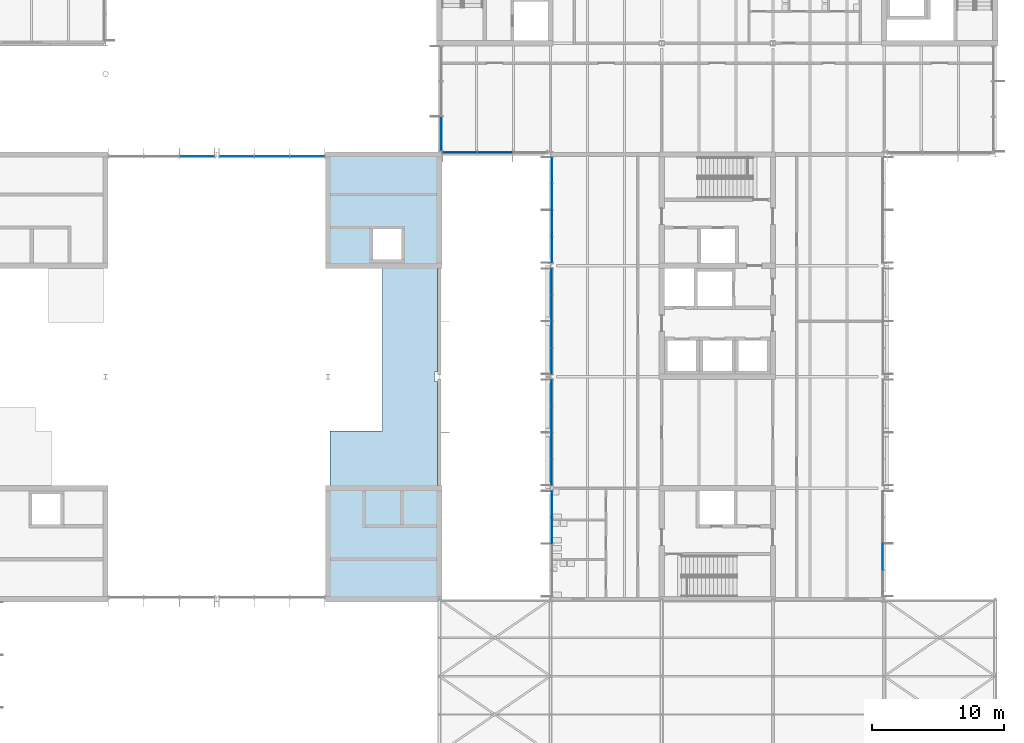
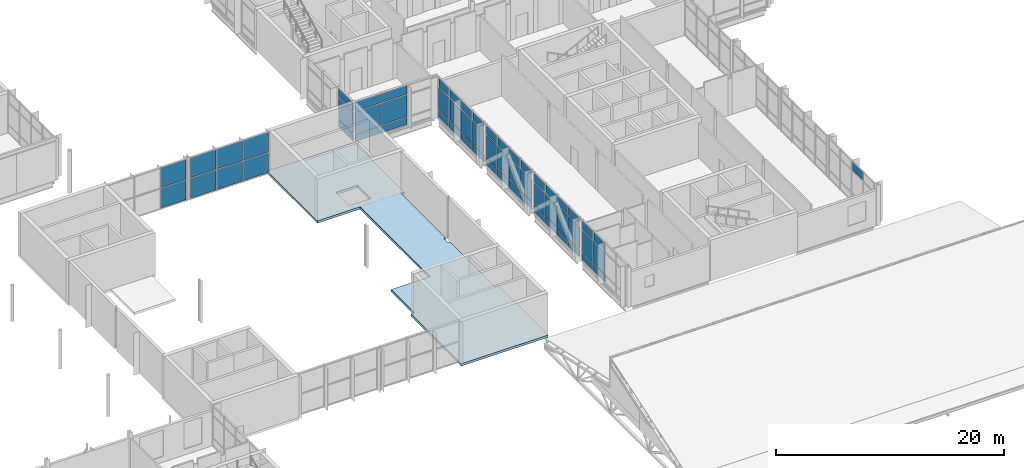
# One storey, part 42 of 89: 60 plates, 1 slab, 9 elements without a shape of their own.
"""IFC4 building model written with IfcOpenShell, lengths in metres."""

from ifc_helpers import new_model, si_unit, direction, frame, origin, origin_2d, place, context, subcontext, project, spatial, polyline, rectangle, outline, extrude, material, layer, layer_set, type_object, element, aggregate, save


model = new_model("IFC4")

# Units and contexts
model_context = context("Model", 3, precision=1e-05, world=origin(), true_north=direction((0.0, 1.0)))
body_context = subcontext(model_context, "Body", "Model", "MODEL_VIEW")
ifc_project = project(units=[si_unit("LENGTHUNIT", "METRE"), si_unit("AREAUNIT", "SQUARE_METRE"), si_unit("VOLUMEUNIT", "CUBIC_METRE"), si_unit("PLANEANGLEUNIT", "RADIAN"), si_unit("MASSUNIT", "GRAM", prefix="KILO")], contexts=[model_context])

# Site, building, storey
site_placement = place(None, origin())
site = spatial("IfcSite", under=ifc_project, at=site_placement, CompositionType="ELEMENT")
building_placement = place(site_placement, origin())
building = spatial("IfcBuilding", under=site, at=building_placement, Name="Hlaing Beacon Police Headquarters", CompositionType="ELEMENT")
storey_placement = place(building_placement, frame((0.0, 0.0, 9.89990234375)))
storey = spatial("IfcBuildingStorey", under=building, at=storey_placement, Name="L02", CompositionType="ELEMENT", Elevation=9.89990234375)

# Curtain wall, plates
ifc_material_1 = material(Name="Aluminium frame with solar control glazing", Category="aluminium")
curtain_wall_type_1 = type_object("IfcCurtainWallType", Name="Unitised curtain wall 8.02 x 4.37", PredefinedType="NOTDEFINED", material=ifc_material_1)
curtain_wall_1_placement = place(storey_placement, origin())
curtain_wall_1 = element("IfcCurtainWall", 1, at=curtain_wall_1_placement, inside=storey, type_object=curtain_wall_type_1, Name="ENV-CW-L02-W030", PredefinedType="NOTDEFINED")
ifc_material_2 = material(Name="Solar control glazing", Category="glass")
ifc_layer_1 = layer(ifc_material_2, 0.0439453125)
ifc_layer_set_1 = layer_set([ifc_layer_1], Name="Solar control glazing")
plate_type_1 = type_object("IfcPlateType", Name="Clear glazing panel 44", PredefinedType="CURTAIN_PANEL", material=ifc_layer_set_1)
plate_1_placement = place(storey_placement, frame((100.89990234375, 64.0048828125, 0.9501953125), z_axis=(0.0, 0.0, 1.0), x_axis=(0.0, -1.0, 0.0)))
plate_1 = element("IfcPlate", 2, at=plate_1_placement, type_object=plate_type_1, Name="CW-L02-W030 panel 2.2", PredefinedType="CURTAIN_PANEL", context=body_context, shape_type="SweptSolid", body=[
    extrude(rectangle(XDim=1.94482421875, YDim=0.0439453125, at=origin_2d()), origin(), (0.0, 0.0, 1.0), 2.300048828125),
])
plate_2_placement = place(storey_placement, frame((100.89990234375, 60.01025390625, 0.9501953125), z_axis=(0.0, 0.0, 1.0), x_axis=(0.0, -1.0, 0.0)))
plate_2 = element("IfcPlate", 3, at=plate_2_placement, type_object=plate_type_1, Name="CW-L02-W030 panel 4.2", PredefinedType="CURTAIN_PANEL", context=body_context, shape_type="SweptSolid", body=[
    extrude(rectangle(XDim=1.914794921875, YDim=0.0439453125, at=origin_2d()), origin(), (0.0, 0.0, 1.0), 2.300048828125),
])

ifc_material_3 = material(Name="Aluminium frame with solar control glazing", Category="aluminium")
curtain_wall_type_2 = type_object("IfcCurtainWallType", Name="Unitised curtain wall 8.01 x 4.37", PredefinedType="NOTDEFINED", material=ifc_material_3)
curtain_wall_2_placement = place(storey_placement, origin())
curtain_wall_2 = element("IfcCurtainWall", 4, at=curtain_wall_2_placement, inside=storey, type_object=curtain_wall_type_2, Name="ENV-CW-L02-W031", PredefinedType="NOTDEFINED")
plate_3_placement = place(storey_placement, frame((100.889892578125, 55.601806640625, 0.9501953125), z_axis=(0.0, 0.0, 1.0), x_axis=(0.0, -1.0, 0.0)))
plate_3 = element("IfcPlate", 5, at=plate_3_placement, type_object=plate_type_1, Name="CW-L02-W031 panel 2.2", PredefinedType="CURTAIN_PANEL", context=body_context, shape_type="SweptSolid", body=[
    extrude(rectangle(XDim=1.943603515625, YDim=0.0439453125, at=origin_2d()), origin(), (0.0, 0.0, 1.0), 2.300048828125),
])
plate_4_placement = place(storey_placement, frame((100.889892578125, 51.60986328125, 0.9501953125), z_axis=(0.0, 0.0, 1.0), x_axis=(0.0, -1.0, 0.0)))
plate_4 = element("IfcPlate", 6, at=plate_4_placement, type_object=plate_type_1, Name="CW-L02-W031 panel 4.2", PredefinedType="CURTAIN_PANEL", context=body_context, shape_type="SweptSolid", body=[
    extrude(rectangle(XDim=1.91357421875, YDim=0.0439453125, at=origin_2d()), origin(), (0.0, 0.0, 1.0), 2.300048828125),
])

curtain_wall_3_placement = place(storey_placement, origin())
curtain_wall_3 = element("IfcCurtainWall", 7, at=curtain_wall_3_placement, inside=storey, type_object=curtain_wall_type_2, Name="ENV-CW-L02-W032", PredefinedType="NOTDEFINED")
plate_5_placement = place(storey_placement, frame((100.889892578125, 47.20166015625, 0.9501953125), z_axis=(0.0, 0.0, 1.0), x_axis=(0.0, -1.0, 0.0)))
plate_5 = element("IfcPlate", 8, at=plate_5_placement, type_object=plate_type_1, Name="CW-L02-W032 panel 2.2", PredefinedType="CURTAIN_PANEL", context=body_context, shape_type="SweptSolid", body=[
    extrude(rectangle(XDim=1.943603515625, YDim=0.0439453125, at=origin_2d()), origin(), (0.0, 0.0, 1.0), 2.300048828125),
])
plate_6_placement = place(storey_placement, frame((100.889892578125, 43.209716796875, 0.9501953125), z_axis=(0.0, 0.0, 1.0), x_axis=(0.0, -1.0, 0.0)))
plate_6 = element("IfcPlate", 9, at=plate_6_placement, type_object=plate_type_1, Name="CW-L02-W032 panel 4.2", PredefinedType="CURTAIN_PANEL", context=body_context, shape_type="SweptSolid", body=[
    extrude(rectangle(XDim=1.91357421875, YDim=0.0439453125, at=origin_2d()), origin(), (0.0, 0.0, 1.0), 2.300048828125),
])

# Curtain wall, plate
curtain_wall_4_placement = place(storey_placement, origin())
curtain_wall_4 = element("IfcCurtainWall", 10, at=curtain_wall_4_placement, inside=storey, type_object=curtain_wall_type_1, Name="ENV-CW-L02-W033", PredefinedType="NOTDEFINED")
plate_7_placement = place(storey_placement, frame((100.89990234375, 38.7998046875, 0.9501953125), z_axis=(0.0, 0.0, 1.0), x_axis=(0.0, -1.0, 0.0)))
plate_7 = element("IfcPlate", 11, at=plate_7_placement, type_object=plate_type_1, Name="CW-L02-W033 panel 2.2", PredefinedType="CURTAIN_PANEL", context=body_context, shape_type="SweptSolid", body=[
    extrude(rectangle(XDim=1.94482421875, YDim=0.0439453125, at=origin_2d()), origin(), (0.0, 0.0, 1.0), 2.300048828125),
])

# Slab
ifc_material_4 = material(Name="Concrete C40/50", Category="concrete")
ifc_layer_2 = layer(ifc_material_4, 0.25)
ifc_layer_set_2 = layer_set([ifc_layer_2], Name="Concrete C40/50")
slab_type = type_object("IfcSlabType", Name="Enclosure roof slab 250", PredefinedType="ROOF", material=ifc_layer_set_2)
slab_placement = place(storey_placement, frame((0.0, 0.0, -0.25)))
element("IfcSlab", 12, at=slab_placement, inside=storey, type_object=slab_type, Name="STR-SLAB-L02-V1-CAP02", PredefinedType="ROOF", context=body_context, shape_type="SweptSolid", body=[
    extrude(outline(polyline([(83.800048828125, 33.39990234375), (92.60009765625, 33.39990234375), (92.60009765625, 42.199951171875), (92.25, 42.199951171875), (92.25, 50.050048828125), (92.050048828125, 50.050048828125), (92.050048828125, 50.75), (92.25, 50.75), (92.25, 58.60009765625), (92.60009765625, 58.60009765625), (92.60009765625, 67.39990234375), (83.800048828125, 67.39990234375), (83.800048828125, 58.60009765625), (88.10009765625, 58.60009765625), (88.10009765625, 46.300048828125), (84.14990234375, 46.300048828125), (84.14990234375, 42.199951171875), (83.800048828125, 42.199951171875), (83.800048828125, 33.39990234375)]), holes=[polyline([(87.39990234375, 59.25), (89.550048828125, 59.25), (89.550048828125, 61.550048828125), (87.39990234375, 61.550048828125), (87.39990234375, 59.25)])]), origin(), (0.0, 0.0, 1.0), 0.25),
])

# Plate
ifc_material_5 = material(Name="Fritted solar control glazing", Category="glass")
ifc_layer_3 = layer(ifc_material_5, 0.0439453125)
ifc_layer_set_3 = layer_set([ifc_layer_3], Name="Fritted solar control glazing")
plate_type_2 = type_object("IfcPlateType", Name="Fritted glazing panel 44", PredefinedType="CURTAIN_PANEL", material=ifc_layer_set_3)
plate_8_placement = place(storey_placement, frame((100.89990234375, 65.99462890625, 0.9501953125), z_axis=(0.0, 0.0, 1.0), x_axis=(0.0, -1.0, 0.0)))
plate_8 = element("IfcPlate", 13, at=plate_8_placement, type_object=plate_type_2, Name="CW-L02-W030 panel 1.2", PredefinedType="CURTAIN_PANEL", context=body_context, shape_type="SweptSolid", body=[
    extrude(rectangle(XDim=1.914794921875, YDim=0.0439453125, at=origin_2d()), origin(), (0.0, 0.0, 1.0), 2.300048828125),
])

plate_9_placement = place(storey_placement, frame((100.89990234375, 62.000244140625, 0.9501953125), z_axis=(0.0, 0.0, 1.0), x_axis=(0.0, -1.0, 0.0)))
plate_9 = element("IfcPlate", 14, at=plate_9_placement, type_object=plate_type_2, Name="CW-L02-W030 panel 3.2", PredefinedType="CURTAIN_PANEL", context=body_context, shape_type="SweptSolid", body=[
    extrude(rectangle(XDim=1.94482421875, YDim=0.0439453125, at=origin_2d()), origin(), (0.0, 0.0, 1.0), 2.300048828125),
])

plate_10_placement = place(storey_placement, frame((100.889892578125, 57.59033203125, 0.9501953125), z_axis=(0.0, 0.0, 1.0), x_axis=(0.0, -1.0, 0.0)))
plate_10 = element("IfcPlate", 15, at=plate_10_placement, type_object=plate_type_2, Name="CW-L02-W031 panel 1.2", PredefinedType="CURTAIN_PANEL", context=body_context, shape_type="SweptSolid", body=[
    extrude(rectangle(XDim=1.91357421875, YDim=0.0439453125, at=origin_2d()), origin(), (0.0, 0.0, 1.0), 2.300048828125),
])

plate_11_placement = place(storey_placement, frame((100.889892578125, 53.59814453125, 0.9501953125), z_axis=(0.0, 0.0, 1.0), x_axis=(0.0, -1.0, 0.0)))
plate_11 = element("IfcPlate", 16, at=plate_11_placement, type_object=plate_type_2, Name="CW-L02-W031 panel 3.2", PredefinedType="CURTAIN_PANEL", context=body_context, shape_type="SweptSolid", body=[
    extrude(rectangle(XDim=1.943603515625, YDim=0.0439453125, at=origin_2d()), origin(), (0.0, 0.0, 1.0), 2.300048828125),
])

plate_12_placement = place(storey_placement, frame((100.889892578125, 49.190185546875, 0.9501953125), z_axis=(0.0, 0.0, 1.0), x_axis=(0.0, -1.0, 0.0)))
plate_12 = element("IfcPlate", 17, at=plate_12_placement, type_object=plate_type_2, Name="CW-L02-W032 panel 1.2", PredefinedType="CURTAIN_PANEL", context=body_context, shape_type="SweptSolid", body=[
    extrude(rectangle(XDim=1.91357421875, YDim=0.0439453125, at=origin_2d()), origin(), (0.0, 0.0, 1.0), 2.300048828125),
])

plate_13_placement = place(storey_placement, frame((100.889892578125, 45.1982421875, 0.9501953125), z_axis=(0.0, 0.0, 1.0), x_axis=(0.0, -1.0, 0.0)))
plate_13 = element("IfcPlate", 18, at=plate_13_placement, type_object=plate_type_2, Name="CW-L02-W032 panel 3.2", PredefinedType="CURTAIN_PANEL", context=body_context, shape_type="SweptSolid", body=[
    extrude(rectangle(XDim=1.943603515625, YDim=0.0439453125, at=origin_2d()), origin(), (0.0, 0.0, 1.0), 2.300048828125),
])

plate_14_placement = place(storey_placement, frame((100.89990234375, 40.78955078125, 0.9501953125), z_axis=(0.0, 0.0, 1.0), x_axis=(0.0, -1.0, 0.0)))
plate_14 = element("IfcPlate", 19, at=plate_14_placement, type_object=plate_type_2, Name="CW-L02-W033 panel 1.2", PredefinedType="CURTAIN_PANEL", context=body_context, shape_type="SweptSolid", body=[
    extrude(rectangle(XDim=1.914794921875, YDim=0.0439453125, at=origin_2d()), origin(), (0.0, 0.0, 1.0), 2.300048828125),
])

# Curtain wall, plate
ifc_material_6 = material(Name="Aluminium frame with solar control glazing", Category="aluminium")
curtain_wall_type_3 = type_object("IfcCurtainWallType", Name="Structural glazed gable wall 8.00 x 4.37", PredefinedType="NOTDEFINED", material=ifc_material_6)
curtain_wall_5_placement = place(storey_placement, origin())
curtain_wall_5 = element("IfcCurtainWall", 20, at=curtain_wall_5_placement, inside=storey, type_object=curtain_wall_type_3, Name="ENV-CW-L02-W028", PredefinedType="NOTDEFINED")
ifc_material_7 = material(Name="Insulated aluminium spandrel", Category="aluminium")
ifc_layer_4 = layer(ifc_material_7, 0.080078125)
ifc_layer_set_4 = layer_set([ifc_layer_4], Name="Insulated aluminium spandrel")
plate_type_3 = type_object("IfcPlateType", Name="Insulated spandrel panel 80", PredefinedType="CURTAIN_PANEL", material=ifc_layer_set_4)
plate_15_placement = place(storey_placement, frame((92.550048828125, 68.75341796875, 0.10009765625), z_axis=(0.0, 0.0, 1.0), x_axis=(0.0, -1.0, 0.0)))
plate_15 = element("IfcPlate", 21, at=plate_15_placement, type_object=plate_type_3, Name="CW-L02-W028 panel 3.1", PredefinedType="CURTAIN_PANEL", context=body_context, shape_type="SweptSolid", body=[
    extrude(rectangle(XDim=2.546630859375, YDim=0.080078125, at=origin_2d()), origin(), (0.0, 0.0, 1.0), 0.75),
])

# Curtain wall, plates
curtain_wall_6_placement = place(storey_placement, origin())
curtain_wall_6 = element("IfcCurtainWall", 22, at=curtain_wall_6_placement, inside=storey, type_object=curtain_wall_type_3, Name="ENV-CW-L02-S029", PredefinedType="NOTDEFINED")
plate_16_placement = place(storey_placement, frame((93.953857421875, 67.35009765625, 0.10009765625), z_axis=(0.0, 0.0, 1.0), x_axis=(1.0, 0.0, 0.0)))
plate_16 = element("IfcPlate", 23, at=plate_16_placement, type_object=plate_type_3, Name="CW-L02-S029 panel 1.1", PredefinedType="CURTAIN_PANEL", context=body_context, shape_type="SweptSolid", body=[
    extrude(rectangle(XDim=2.5478515625, YDim=0.080078125, at=origin_2d()), origin(), (0.0, 0.0, 1.0), 0.75),
])
plate_17_placement = place(storey_placement, frame((96.6015625, 67.35009765625, 0.10009765625), z_axis=(0.0, 0.0, 1.0), x_axis=(1.0, 0.0, 0.0)))
plate_17 = element("IfcPlate", 24, at=plate_17_placement, type_object=plate_type_3, Name="CW-L02-S029 panel 2.1", PredefinedType="CURTAIN_PANEL", context=body_context, shape_type="SweptSolid", body=[
    extrude(rectangle(XDim=2.587646484375, YDim=0.080078125, at=origin_2d()), origin(), (0.0, 0.0, 1.0), 0.75),
])

# Plate
plate_18_placement = place(storey_placement, frame((100.89990234375, 65.99462890625, 0.10009765625), z_axis=(0.0, 0.0, 1.0), x_axis=(0.0, -1.0, 0.0)))
plate_18 = element("IfcPlate", 25, at=plate_18_placement, type_object=plate_type_3, Name="CW-L02-W030 panel 1.1", PredefinedType="CURTAIN_PANEL", context=body_context, shape_type="SweptSolid", body=[
    extrude(rectangle(XDim=1.914794921875, YDim=0.080078125, at=origin_2d()), origin(), (0.0, 0.0, 1.0), 0.75),
])

plate_19_placement = place(storey_placement, frame((100.89990234375, 64.0048828125, 0.10009765625), z_axis=(0.0, 0.0, 1.0), x_axis=(0.0, -1.0, 0.0)))
plate_19 = element("IfcPlate", 26, at=plate_19_placement, type_object=plate_type_3, Name="CW-L02-W030 panel 2.1", PredefinedType="CURTAIN_PANEL", context=body_context, shape_type="SweptSolid", body=[
    extrude(rectangle(XDim=1.94482421875, YDim=0.080078125, at=origin_2d()), origin(), (0.0, 0.0, 1.0), 0.75),
])

plate_20_placement = place(storey_placement, frame((100.89990234375, 62.000244140625, 0.10009765625), z_axis=(0.0, 0.0, 1.0), x_axis=(0.0, -1.0, 0.0)))
plate_20 = element("IfcPlate", 27, at=plate_20_placement, type_object=plate_type_3, Name="CW-L02-W030 panel 3.1", PredefinedType="CURTAIN_PANEL", context=body_context, shape_type="SweptSolid", body=[
    extrude(rectangle(XDim=1.94482421875, YDim=0.080078125, at=origin_2d()), origin(), (0.0, 0.0, 1.0), 0.75),
])

plate_21_placement = place(storey_placement, frame((100.89990234375, 60.01025390625, 0.10009765625), z_axis=(0.0, 0.0, 1.0), x_axis=(0.0, -1.0, 0.0)))
plate_21 = element("IfcPlate", 28, at=plate_21_placement, type_object=plate_type_3, Name="CW-L02-W030 panel 4.1", PredefinedType="CURTAIN_PANEL", context=body_context, shape_type="SweptSolid", body=[
    extrude(rectangle(XDim=1.914794921875, YDim=0.080078125, at=origin_2d()), origin(), (0.0, 0.0, 1.0), 0.75),
])

plate_22_placement = place(storey_placement, frame((100.889892578125, 57.59033203125, 0.10009765625), z_axis=(0.0, 0.0, 1.0), x_axis=(0.0, -1.0, 0.0)))
plate_22 = element("IfcPlate", 29, at=plate_22_placement, type_object=plate_type_3, Name="CW-L02-W031 panel 1.1", PredefinedType="CURTAIN_PANEL", context=body_context, shape_type="SweptSolid", body=[
    extrude(rectangle(XDim=1.91357421875, YDim=0.080078125, at=origin_2d()), origin(), (0.0, 0.0, 1.0), 0.75),
])

plate_23_placement = place(storey_placement, frame((100.889892578125, 55.601806640625, 0.10009765625), z_axis=(0.0, 0.0, 1.0), x_axis=(0.0, -1.0, 0.0)))
plate_23 = element("IfcPlate", 30, at=plate_23_placement, type_object=plate_type_3, Name="CW-L02-W031 panel 2.1", PredefinedType="CURTAIN_PANEL", context=body_context, shape_type="SweptSolid", body=[
    extrude(rectangle(XDim=1.943603515625, YDim=0.080078125, at=origin_2d()), origin(), (0.0, 0.0, 1.0), 0.75),
])

plate_24_placement = place(storey_placement, frame((100.889892578125, 53.59814453125, 0.10009765625), z_axis=(0.0, 0.0, 1.0), x_axis=(0.0, -1.0, 0.0)))
plate_24 = element("IfcPlate", 31, at=plate_24_placement, type_object=plate_type_3, Name="CW-L02-W031 panel 3.1", PredefinedType="CURTAIN_PANEL", context=body_context, shape_type="SweptSolid", body=[
    extrude(rectangle(XDim=1.943603515625, YDim=0.080078125, at=origin_2d()), origin(), (0.0, 0.0, 1.0), 0.75),
])

plate_25_placement = place(storey_placement, frame((100.889892578125, 51.60986328125, 0.10009765625), z_axis=(0.0, 0.0, 1.0), x_axis=(0.0, -1.0, 0.0)))
plate_25 = element("IfcPlate", 32, at=plate_25_placement, type_object=plate_type_3, Name="CW-L02-W031 panel 4.1", PredefinedType="CURTAIN_PANEL", context=body_context, shape_type="SweptSolid", body=[
    extrude(rectangle(XDim=1.91357421875, YDim=0.080078125, at=origin_2d()), origin(), (0.0, 0.0, 1.0), 0.75),
])

plate_26_placement = place(storey_placement, frame((100.889892578125, 49.190185546875, 0.10009765625), z_axis=(0.0, 0.0, 1.0), x_axis=(0.0, -1.0, 0.0)))
plate_26 = element("IfcPlate", 33, at=plate_26_placement, type_object=plate_type_3, Name="CW-L02-W032 panel 1.1", PredefinedType="CURTAIN_PANEL", context=body_context, shape_type="SweptSolid", body=[
    extrude(rectangle(XDim=1.91357421875, YDim=0.080078125, at=origin_2d()), origin(), (0.0, 0.0, 1.0), 0.75),
])

plate_27_placement = place(storey_placement, frame((100.889892578125, 47.20166015625, 0.10009765625), z_axis=(0.0, 0.0, 1.0), x_axis=(0.0, -1.0, 0.0)))
plate_27 = element("IfcPlate", 34, at=plate_27_placement, type_object=plate_type_3, Name="CW-L02-W032 panel 2.1", PredefinedType="CURTAIN_PANEL", context=body_context, shape_type="SweptSolid", body=[
    extrude(rectangle(XDim=1.943603515625, YDim=0.080078125, at=origin_2d()), origin(), (0.0, 0.0, 1.0), 0.75),
])

plate_28_placement = place(storey_placement, frame((100.889892578125, 45.1982421875, 0.10009765625), z_axis=(0.0, 0.0, 1.0), x_axis=(0.0, -1.0, 0.0)))
plate_28 = element("IfcPlate", 35, at=plate_28_placement, type_object=plate_type_3, Name="CW-L02-W032 panel 3.1", PredefinedType="CURTAIN_PANEL", context=body_context, shape_type="SweptSolid", body=[
    extrude(rectangle(XDim=1.943603515625, YDim=0.080078125, at=origin_2d()), origin(), (0.0, 0.0, 1.0), 0.75),
])

plate_29_placement = place(storey_placement, frame((100.889892578125, 43.209716796875, 0.10009765625), z_axis=(0.0, 0.0, 1.0), x_axis=(0.0, -1.0, 0.0)))
plate_29 = element("IfcPlate", 36, at=plate_29_placement, type_object=plate_type_3, Name="CW-L02-W032 panel 4.1", PredefinedType="CURTAIN_PANEL", context=body_context, shape_type="SweptSolid", body=[
    extrude(rectangle(XDim=1.91357421875, YDim=0.080078125, at=origin_2d()), origin(), (0.0, 0.0, 1.0), 0.75),
])

plate_30_placement = place(storey_placement, frame((100.89990234375, 40.78955078125, 0.10009765625), z_axis=(0.0, 0.0, 1.0), x_axis=(0.0, -1.0, 0.0)))
plate_30 = element("IfcPlate", 37, at=plate_30_placement, type_object=plate_type_3, Name="CW-L02-W033 panel 1.1", PredefinedType="CURTAIN_PANEL", context=body_context, shape_type="SweptSolid", body=[
    extrude(rectangle(XDim=1.914794921875, YDim=0.080078125, at=origin_2d()), origin(), (0.0, 0.0, 1.0), 0.75),
])

plate_31_placement = place(storey_placement, frame((100.89990234375, 38.7998046875, 0.10009765625), z_axis=(0.0, 0.0, 1.0), x_axis=(0.0, -1.0, 0.0)))
plate_31 = element("IfcPlate", 38, at=plate_31_placement, type_object=plate_type_3, Name="CW-L02-W033 panel 2.1", PredefinedType="CURTAIN_PANEL", context=body_context, shape_type="SweptSolid", body=[
    extrude(rectangle(XDim=1.94482421875, YDim=0.080078125, at=origin_2d()), origin(), (0.0, 0.0, 1.0), 0.75),
])

ifc_material_8 = material(Name="Laminated solar control glazing", Category="glass")
ifc_layer_5 = layer(ifc_material_8, 0.031982421875)
ifc_layer_set_5 = layer_set([ifc_layer_5], Name="Laminated solar control glazing")
plate_type_4 = type_object("IfcPlateType", Name="Laminated glazing panel 32", PredefinedType="CURTAIN_PANEL", material=ifc_layer_set_5)
plate_32_placement = place(storey_placement, frame((92.550048828125, 68.75341796875, 3.35009765625), z_axis=(0.0, 0.0, 1.0), x_axis=(0.0, -1.0, 0.0)))
plate_32 = element("IfcPlate", 39, at=plate_32_placement, type_object=plate_type_4, Name="CW-L02-W028 panel 3.3", PredefinedType="CURTAIN_PANEL", context=body_context, shape_type="SweptSolid", body=[
    extrude(rectangle(XDim=2.546630859375, YDim=0.031982421875, at=origin_2d()), origin(), (0.0, 0.0, 1.0), 0.919921875),
])

plate_33_placement = place(storey_placement, frame((93.953857421875, 67.35009765625, 3.35009765625), z_axis=(0.0, 0.0, 1.0), x_axis=(1.0, 0.0, 0.0)))
plate_33 = element("IfcPlate", 40, at=plate_33_placement, type_object=plate_type_4, Name="CW-L02-S029 panel 1.3", PredefinedType="CURTAIN_PANEL", context=body_context, shape_type="SweptSolid", body=[
    extrude(rectangle(XDim=2.5478515625, YDim=0.031982421875, at=origin_2d()), origin(), (0.0, 0.0, 1.0), 0.919921875),
])

plate_34_placement = place(storey_placement, frame((96.6015625, 67.35009765625, 3.35009765625), z_axis=(0.0, 0.0, 1.0), x_axis=(1.0, 0.0, 0.0)))
plate_34 = element("IfcPlate", 41, at=plate_34_placement, type_object=plate_type_4, Name="CW-L02-S029 panel 2.3", PredefinedType="CURTAIN_PANEL", context=body_context, shape_type="SweptSolid", body=[
    extrude(rectangle(XDim=2.587646484375, YDim=0.031982421875, at=origin_2d()), origin(), (0.0, 0.0, 1.0), 0.919921875),
])

# Curtain wall, plates
ifc_material_9 = material(Name="Aluminium frame with solar control glazing", Category="aluminium")
curtain_wall_type_4 = type_object("IfcCurtainWallType", Name="Structural glazed gable wall 8.07 x 4.50", PredefinedType="NOTDEFINED", material=ifc_material_9)
curtain_wall_7_placement = place(storey_placement, origin())
curtain_wall_7 = element("IfcCurtainWall", 42, at=curtain_wall_7_placement, inside=storey, type_object=curtain_wall_type_4, Name="ENV-CW-L02-N003", PredefinedType="NOTDEFINED")
ifc_material_10 = material(Name="Laminated solar control glazing", Category="glass")
ifc_layer_6 = layer(ifc_material_10, 0.0439453125)
ifc_layer_set_6 = layer_set([ifc_layer_6], Name="Laminated solar control glazing")
plate_type_5 = type_object("IfcPlateType", Name="Laminated glazing panel 44", PredefinedType="CURTAIN_PANEL", material=ifc_layer_set_6)
plate_35_placement = place(storey_placement, frame((82.434814453125, 67.050048828125, 0.10009765625), z_axis=(0.0, 0.0, 1.0), x_axis=(-1.0, 0.0, 0.0)))
plate_35 = element("IfcPlate", 43, at=plate_35_placement, type_object=plate_type_5, Name="CW-L02-N003 panel 1.1", PredefinedType="CURTAIN_PANEL", context=body_context, shape_type="SweptSolid", body=[
    extrude(rectangle(XDim=2.570556640625, YDim=0.0439453125, at=origin_2d()), origin(), (0.0, 0.0, 1.0), 2.10009765625),
])
plate_36_placement = place(storey_placement, frame((82.434814453125, 67.050048828125, 2.300048828125), z_axis=(0.0, 0.0, 1.0), x_axis=(-1.0, 0.0, 0.0)))
plate_36 = element("IfcPlate", 44, at=plate_36_placement, type_object=plate_type_5, Name="CW-L02-N003 panel 1.2", PredefinedType="CURTAIN_PANEL", context=body_context, shape_type="SweptSolid", body=[
    extrude(rectangle(XDim=2.570556640625, YDim=0.0439453125, at=origin_2d()), origin(), (0.0, 0.0, 1.0), 2.10009765625),
])
plate_37_placement = place(storey_placement, frame((79.76416015625, 67.050048828125, 0.10009765625), z_axis=(0.0, 0.0, 1.0), x_axis=(-1.0, 0.0, 0.0)))
plate_37 = element("IfcPlate", 45, at=plate_37_placement, type_object=plate_type_5, Name="CW-L02-N003 panel 2.1", PredefinedType="CURTAIN_PANEL", context=body_context, shape_type="SweptSolid", body=[
    extrude(rectangle(XDim=2.610595703125, YDim=0.0439453125, at=origin_2d()), origin(), (0.0, 0.0, 1.0), 2.10009765625),
])
plate_38_placement = place(storey_placement, frame((79.76416015625, 67.050048828125, 2.300048828125), z_axis=(0.0, 0.0, 1.0), x_axis=(-1.0, 0.0, 0.0)))
plate_38 = element("IfcPlate", 46, at=plate_38_placement, type_object=plate_type_5, Name="CW-L02-N003 panel 2.2", PredefinedType="CURTAIN_PANEL", context=body_context, shape_type="SweptSolid", body=[
    extrude(rectangle(XDim=2.610595703125, YDim=0.0439453125, at=origin_2d()), origin(), (0.0, 0.0, 1.0), 2.10009765625),
])
plate_39_placement = place(storey_placement, frame((77.093505859375, 67.050048828125, 0.10009765625), z_axis=(0.0, 0.0, 1.0), x_axis=(-1.0, 0.0, 0.0)))
plate_39 = element("IfcPlate", 47, at=plate_39_placement, type_object=plate_type_5, Name="CW-L02-N003 panel 3.1", PredefinedType="CURTAIN_PANEL", context=body_context, shape_type="SweptSolid", body=[
    extrude(rectangle(XDim=2.570556640625, YDim=0.0439453125, at=origin_2d()), origin(), (0.0, 0.0, 1.0), 2.10009765625),
])
plate_40_placement = place(storey_placement, frame((77.093505859375, 67.050048828125, 2.300048828125), z_axis=(0.0, 0.0, 1.0), x_axis=(-1.0, 0.0, 0.0)))
plate_40 = element("IfcPlate", 48, at=plate_40_placement, type_object=plate_type_5, Name="CW-L02-N003 panel 3.2", PredefinedType="CURTAIN_PANEL", context=body_context, shape_type="SweptSolid", body=[
    extrude(rectangle(XDim=2.570556640625, YDim=0.0439453125, at=origin_2d()), origin(), (0.0, 0.0, 1.0), 2.10009765625),
])
aggregate(curtain_wall_7, [plate_35, plate_36, plate_37, plate_38, plate_39, plate_40])

curtain_wall_8_placement = place(storey_placement, origin())
curtain_wall_8 = element("IfcCurtainWall", 49, at=curtain_wall_8_placement, inside=storey, type_object=curtain_wall_type_4, Name="ENV-CW-L02-N004", PredefinedType="NOTDEFINED")
plate_41_placement = place(storey_placement, frame((74.1064453125, 67.050048828125, 0.10009765625), z_axis=(0.0, 0.0, 1.0), x_axis=(-1.0, 0.0, 0.0)))
plate_41 = element("IfcPlate", 50, at=plate_41_placement, type_object=plate_type_5, Name="CW-L02-N004 panel 1.1", PredefinedType="CURTAIN_PANEL", context=body_context, shape_type="SweptSolid", body=[
    extrude(rectangle(XDim=2.570556640625, YDim=0.0439453125, at=origin_2d()), origin(), (0.0, 0.0, 1.0), 2.10009765625),
])
plate_42_placement = place(storey_placement, frame((74.1064453125, 67.050048828125, 2.300048828125), z_axis=(0.0, 0.0, 1.0), x_axis=(-1.0, 0.0, 0.0)))
plate_42 = element("IfcPlate", 51, at=plate_42_placement, type_object=plate_type_5, Name="CW-L02-N004 panel 1.2", PredefinedType="CURTAIN_PANEL", context=body_context, shape_type="SweptSolid", body=[
    extrude(rectangle(XDim=2.570556640625, YDim=0.0439453125, at=origin_2d()), origin(), (0.0, 0.0, 1.0), 2.10009765625),
])
aggregate(curtain_wall_8, [plate_41, plate_42])

# Plate
plate_43_placement = place(storey_placement, frame((92.550048828125, 68.75341796875, 0.9501953125), z_axis=(0.0, 0.0, 1.0), x_axis=(0.0, -1.0, 0.0)))
plate_43 = element("IfcPlate", 52, at=plate_43_placement, type_object=plate_type_5, Name="CW-L02-W028 panel 3.2", PredefinedType="CURTAIN_PANEL", context=body_context, shape_type="SweptSolid", body=[
    extrude(rectangle(XDim=2.546630859375, YDim=0.0439453125, at=origin_2d()), origin(), (0.0, 0.0, 1.0), 2.300048828125),
])

aggregate(curtain_wall_5, [plate_15, plate_43, plate_32])

plate_44_placement = place(storey_placement, frame((93.953857421875, 67.35009765625, 0.9501953125), z_axis=(0.0, 0.0, 1.0), x_axis=(1.0, 0.0, 0.0)))
plate_44 = element("IfcPlate", 53, at=plate_44_placement, type_object=plate_type_5, Name="CW-L02-S029 panel 1.2", PredefinedType="CURTAIN_PANEL", context=body_context, shape_type="SweptSolid", body=[
    extrude(rectangle(XDim=2.5478515625, YDim=0.0439453125, at=origin_2d()), origin(), (0.0, 0.0, 1.0), 2.300048828125),
])

plate_45_placement = place(storey_placement, frame((96.6015625, 67.35009765625, 0.9501953125), z_axis=(0.0, 0.0, 1.0), x_axis=(1.0, 0.0, 0.0)))
plate_45 = element("IfcPlate", 54, at=plate_45_placement, type_object=plate_type_5, Name="CW-L02-S029 panel 2.2", PredefinedType="CURTAIN_PANEL", context=body_context, shape_type="SweptSolid", body=[
    extrude(rectangle(XDim=2.587646484375, YDim=0.0439453125, at=origin_2d()), origin(), (0.0, 0.0, 1.0), 2.300048828125),
])

aggregate(curtain_wall_6, [plate_16, plate_44, plate_33, plate_17, plate_45, plate_34])

# Curtain wall, plate
ifc_material_11 = material(Name="Aluminium frame with solar control glazing", Category="aluminium")
curtain_wall_type_5 = type_object("IfcCurtainWallType", Name="Unitised curtain wall 7.99 x 4.37", PredefinedType="NOTDEFINED", material=ifc_material_11)
curtain_wall_9_placement = place(storey_placement, origin())
curtain_wall_9 = element("IfcCurtainWall", 55, at=curtain_wall_9_placement, inside=storey, type_object=curtain_wall_type_5, Name="ENV-CW-L02-E015", PredefinedType="NOTDEFINED")
ifc_material_12 = material(Name="Perforated aluminium", Category="aluminium")
ifc_layer_7 = layer(ifc_material_12, 0.00390625)
ifc_layer_set_7 = layer_set([ifc_layer_7], Name="Perforated aluminium")
plate_type_6 = type_object("IfcPlateType", Name="Perforated aluminium vent panel 4", PredefinedType="CURTAIN_PANEL", material=ifc_layer_set_7)
plate_46_placement = place(storey_placement, frame((125.89990234375, 36.810302734375, 3.35009765625), z_axis=(0.0, 0.0, 1.0), x_axis=(0.0, 1.0, 0.0)))
plate_46 = element("IfcPlate", 56, at=plate_46_placement, type_object=plate_type_6, Name="CW-L02-E015 panel 2.3", PredefinedType="CURTAIN_PANEL", context=body_context, shape_type="SweptSolid", body=[
    extrude(rectangle(XDim=1.938720703125, YDim=0.00390625, at=origin_2d()), origin(), (0.0, 0.0, 1.0), 0.919921875),
])
aggregate(curtain_wall_9, [plate_46])

# Plate
plate_47_placement = place(storey_placement, frame((100.89990234375, 65.99462890625, 3.35009765625), z_axis=(0.0, 0.0, 1.0), x_axis=(0.0, -1.0, 0.0)))
plate_47 = element("IfcPlate", 57, at=plate_47_placement, type_object=plate_type_6, Name="CW-L02-W030 panel 1.3", PredefinedType="CURTAIN_PANEL", context=body_context, shape_type="SweptSolid", body=[
    extrude(rectangle(XDim=1.914794921875, YDim=0.00390625, at=origin_2d()), origin(), (0.0, 0.0, 1.0), 0.919921875),
])

plate_48_placement = place(storey_placement, frame((100.89990234375, 64.0048828125, 3.35009765625), z_axis=(0.0, 0.0, 1.0), x_axis=(0.0, -1.0, 0.0)))
plate_48 = element("IfcPlate", 58, at=plate_48_placement, type_object=plate_type_6, Name="CW-L02-W030 panel 2.3", PredefinedType="CURTAIN_PANEL", context=body_context, shape_type="SweptSolid", body=[
    extrude(rectangle(XDim=1.94482421875, YDim=0.00390625, at=origin_2d()), origin(), (0.0, 0.0, 1.0), 0.919921875),
])

plate_49_placement = place(storey_placement, frame((100.89990234375, 62.000244140625, 3.35009765625), z_axis=(0.0, 0.0, 1.0), x_axis=(0.0, -1.0, 0.0)))
plate_49 = element("IfcPlate", 59, at=plate_49_placement, type_object=plate_type_6, Name="CW-L02-W030 panel 3.3", PredefinedType="CURTAIN_PANEL", context=body_context, shape_type="SweptSolid", body=[
    extrude(rectangle(XDim=1.94482421875, YDim=0.00390625, at=origin_2d()), origin(), (0.0, 0.0, 1.0), 0.919921875),
])

plate_50_placement = place(storey_placement, frame((100.89990234375, 60.01025390625, 3.35009765625), z_axis=(0.0, 0.0, 1.0), x_axis=(0.0, -1.0, 0.0)))
plate_50 = element("IfcPlate", 60, at=plate_50_placement, type_object=plate_type_6, Name="CW-L02-W030 panel 4.3", PredefinedType="CURTAIN_PANEL", context=body_context, shape_type="SweptSolid", body=[
    extrude(rectangle(XDim=1.914794921875, YDim=0.00390625, at=origin_2d()), origin(), (0.0, 0.0, 1.0), 0.919921875),
])

aggregate(curtain_wall_1, [plate_18, plate_8, plate_47, plate_19, plate_1, plate_48, plate_20, plate_9, plate_49, plate_21, plate_2, plate_50])

plate_51_placement = place(storey_placement, frame((100.889892578125, 57.59033203125, 3.35009765625), z_axis=(0.0, 0.0, 1.0), x_axis=(0.0, -1.0, 0.0)))
plate_51 = element("IfcPlate", 61, at=plate_51_placement, type_object=plate_type_6, Name="CW-L02-W031 panel 1.3", PredefinedType="CURTAIN_PANEL", context=body_context, shape_type="SweptSolid", body=[
    extrude(rectangle(XDim=1.91357421875, YDim=0.00390625, at=origin_2d()), origin(), (0.0, 0.0, 1.0), 0.919921875),
])

plate_52_placement = place(storey_placement, frame((100.889892578125, 55.601806640625, 3.35009765625), z_axis=(0.0, 0.0, 1.0), x_axis=(0.0, -1.0, 0.0)))
plate_52 = element("IfcPlate", 62, at=plate_52_placement, type_object=plate_type_6, Name="CW-L02-W031 panel 2.3", PredefinedType="CURTAIN_PANEL", context=body_context, shape_type="SweptSolid", body=[
    extrude(rectangle(XDim=1.943603515625, YDim=0.00390625, at=origin_2d()), origin(), (0.0, 0.0, 1.0), 0.919921875),
])

plate_53_placement = place(storey_placement, frame((100.889892578125, 53.59814453125, 3.35009765625), z_axis=(0.0, 0.0, 1.0), x_axis=(0.0, -1.0, 0.0)))
plate_53 = element("IfcPlate", 63, at=plate_53_placement, type_object=plate_type_6, Name="CW-L02-W031 panel 3.3", PredefinedType="CURTAIN_PANEL", context=body_context, shape_type="SweptSolid", body=[
    extrude(rectangle(XDim=1.943603515625, YDim=0.00390625, at=origin_2d()), origin(), (0.0, 0.0, 1.0), 0.919921875),
])

plate_54_placement = place(storey_placement, frame((100.889892578125, 51.60986328125, 3.35009765625), z_axis=(0.0, 0.0, 1.0), x_axis=(0.0, -1.0, 0.0)))
plate_54 = element("IfcPlate", 64, at=plate_54_placement, type_object=plate_type_6, Name="CW-L02-W031 panel 4.3", PredefinedType="CURTAIN_PANEL", context=body_context, shape_type="SweptSolid", body=[
    extrude(rectangle(XDim=1.91357421875, YDim=0.00390625, at=origin_2d()), origin(), (0.0, 0.0, 1.0), 0.919921875),
])

aggregate(curtain_wall_2, [plate_22, plate_10, plate_51, plate_23, plate_3, plate_52, plate_24, plate_11, plate_53, plate_25, plate_4, plate_54])

plate_55_placement = place(storey_placement, frame((100.889892578125, 49.190185546875, 3.35009765625), z_axis=(0.0, 0.0, 1.0), x_axis=(0.0, -1.0, 0.0)))
plate_55 = element("IfcPlate", 65, at=plate_55_placement, type_object=plate_type_6, Name="CW-L02-W032 panel 1.3", PredefinedType="CURTAIN_PANEL", context=body_context, shape_type="SweptSolid", body=[
    extrude(rectangle(XDim=1.91357421875, YDim=0.00390625, at=origin_2d()), origin(), (0.0, 0.0, 1.0), 0.919921875),
])

plate_56_placement = place(storey_placement, frame((100.889892578125, 47.20166015625, 3.35009765625), z_axis=(0.0, 0.0, 1.0), x_axis=(0.0, -1.0, 0.0)))
plate_56 = element("IfcPlate", 66, at=plate_56_placement, type_object=plate_type_6, Name="CW-L02-W032 panel 2.3", PredefinedType="CURTAIN_PANEL", context=body_context, shape_type="SweptSolid", body=[
    extrude(rectangle(XDim=1.943603515625, YDim=0.00390625, at=origin_2d()), origin(), (0.0, 0.0, 1.0), 0.919921875),
])

plate_57_placement = place(storey_placement, frame((100.889892578125, 45.1982421875, 3.35009765625), z_axis=(0.0, 0.0, 1.0), x_axis=(0.0, -1.0, 0.0)))
plate_57 = element("IfcPlate", 67, at=plate_57_placement, type_object=plate_type_6, Name="CW-L02-W032 panel 3.3", PredefinedType="CURTAIN_PANEL", context=body_context, shape_type="SweptSolid", body=[
    extrude(rectangle(XDim=1.943603515625, YDim=0.00390625, at=origin_2d()), origin(), (0.0, 0.0, 1.0), 0.919921875),
])

plate_58_placement = place(storey_placement, frame((100.889892578125, 43.209716796875, 3.35009765625), z_axis=(0.0, 0.0, 1.0), x_axis=(0.0, -1.0, 0.0)))
plate_58 = element("IfcPlate", 68, at=plate_58_placement, type_object=plate_type_6, Name="CW-L02-W032 panel 4.3", PredefinedType="CURTAIN_PANEL", context=body_context, shape_type="SweptSolid", body=[
    extrude(rectangle(XDim=1.91357421875, YDim=0.00390625, at=origin_2d()), origin(), (0.0, 0.0, 1.0), 0.919921875),
])

aggregate(curtain_wall_3, [plate_26, plate_12, plate_55, plate_27, plate_5, plate_56, plate_28, plate_13, plate_57, plate_29, plate_6, plate_58])

plate_59_placement = place(storey_placement, frame((100.89990234375, 40.78955078125, 3.35009765625), z_axis=(0.0, 0.0, 1.0), x_axis=(0.0, -1.0, 0.0)))
plate_59 = element("IfcPlate", 69, at=plate_59_placement, type_object=plate_type_6, Name="CW-L02-W033 panel 1.3", PredefinedType="CURTAIN_PANEL", context=body_context, shape_type="SweptSolid", body=[
    extrude(rectangle(XDim=1.914794921875, YDim=0.00390625, at=origin_2d()), origin(), (0.0, 0.0, 1.0), 0.919921875),
])

plate_60_placement = place(storey_placement, frame((100.89990234375, 38.7998046875, 3.35009765625), z_axis=(0.0, 0.0, 1.0), x_axis=(0.0, -1.0, 0.0)))
plate_60 = element("IfcPlate", 70, at=plate_60_placement, type_object=plate_type_6, Name="CW-L02-W033 panel 2.3", PredefinedType="CURTAIN_PANEL", context=body_context, shape_type="SweptSolid", body=[
    extrude(rectangle(XDim=1.94482421875, YDim=0.00390625, at=origin_2d()), origin(), (0.0, 0.0, 1.0), 0.919921875),
])

aggregate(curtain_wall_4, [plate_30, plate_14, plate_59, plate_31, plate_7, plate_60])

save(model, "model.ifc")
